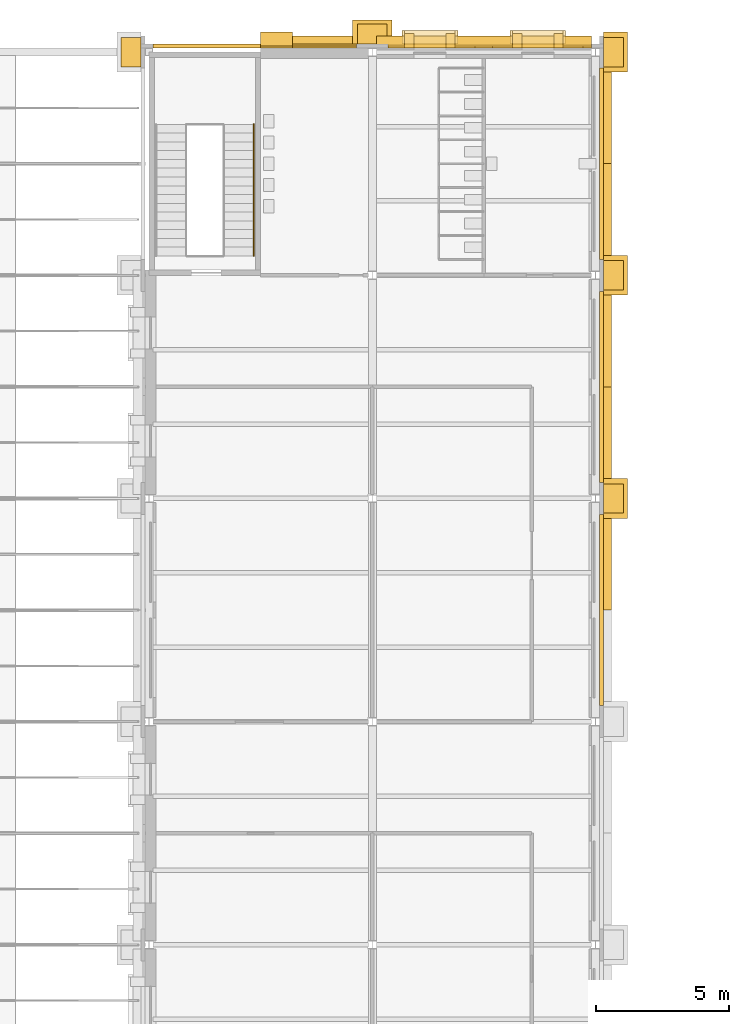
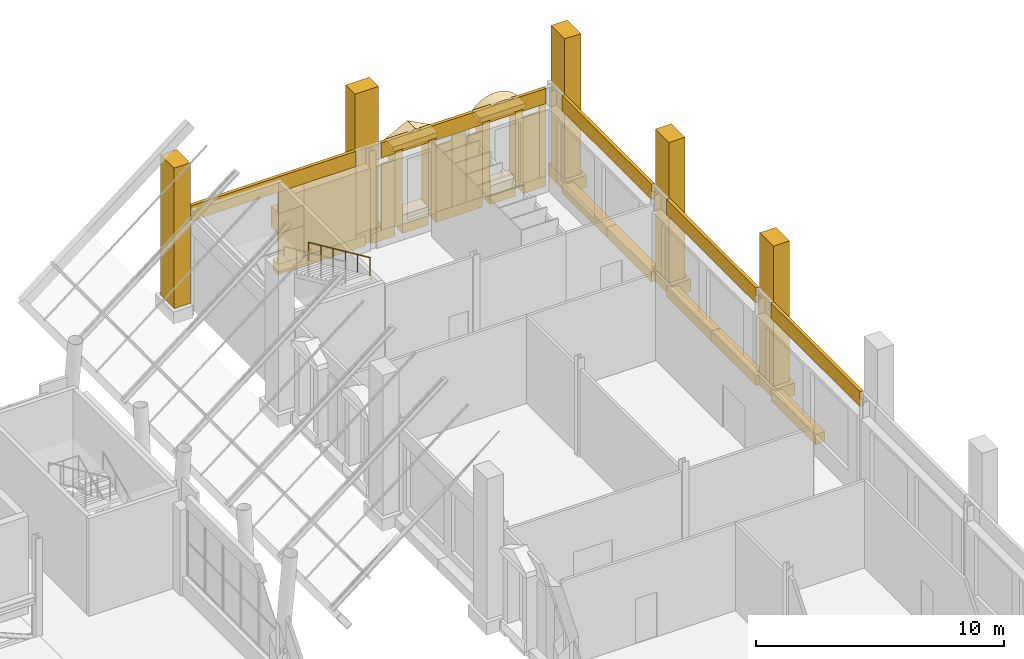
# One storey, part 68 of 76: 45 coverings, 1 railing.
"""IFC4 building model written with IfcOpenShell, lengths in metres."""

from ifc_helpers import new_model, si_unit, direction, frame, origin, origin_2d, place, context, subcontext, project, spatial, polyline, rectangle, circle, outline, extrude, material, layer, layer_set, type_object, element, save


model = new_model("IFC4")

# Units and contexts
model_context = context("Model", 3, precision=1e-05, world=origin(), true_north=direction((0.0, 1.0)))
body_context = subcontext(model_context, "Body", "Model", "MODEL_VIEW")
ifc_project = project(units=[si_unit("LENGTHUNIT", "METRE"), si_unit("AREAUNIT", "SQUARE_METRE"), si_unit("VOLUMEUNIT", "CUBIC_METRE"), si_unit("PLANEANGLEUNIT", "RADIAN"), si_unit("MASSUNIT", "GRAM", prefix="KILO")], contexts=[model_context])

# Site, building, storey
site_placement = place(None, origin())
site = spatial("IfcSite", under=ifc_project, at=site_placement, CompositionType="ELEMENT")
building_placement = place(site_placement, origin())
building = spatial("IfcBuilding", under=site, at=building_placement, Name="Sava Quay Ferry Terminal", CompositionType="ELEMENT")
storey_placement = place(building_placement, frame((0.0, 0.0, 6.0)))
storey = spatial("IfcBuildingStorey", under=building, at=storey_placement, Name="L01", CompositionType="ELEMENT", Elevation=6.0)

# Coverings
ifc_material_1 = material(Name="Limestone Mutalj", Category="masonry")
ifc_layer_1 = layer(ifc_material_1, 0.60009765625)
ifc_layer_set_1 = layer_set([ifc_layer_1], Name="Limestone Mutalj")
covering_type_1 = type_object("IfcCoveringType", Name="Corner quoin block 1200", PredefinedType="CLADDING", material=ifc_layer_set_1)
covering_1_placement = place(storey_placement, frame((97.199951171875, 109.659912109375, 2.0), z_axis=(0.0, 0.0, 1.0), x_axis=(1.0, 0.0, 0.0)))
element("IfcCovering", 1, at=covering_1_placement, inside=storey, type_object=covering_type_1, Name="Corner quoin block", PredefinedType="CLADDING", context=body_context, shape_type="SweptSolid", body=[
    extrude(rectangle(XDim=1.199951171875, YDim=0.60009765625, at=origin_2d()), origin(), (0.0, 0.0, 1.0), 1.0),
])
ifc_material_2 = material(Name="Limestone Mutalj", Category="masonry")
ifc_layer_2 = layer(ifc_material_2, 0.89990234375)
ifc_layer_set_2 = layer_set([ifc_layer_2], Name="Limestone Mutalj")
covering_type_2 = type_object("IfcCoveringType", Name="Giant-order pilaster base 1500", PredefinedType="MOLDING", material=ifc_layer_set_2)
for number, where, z_axis, x_axis, name in (
    (2, (109.949951171875, 92.39990234375, 0.0), (0.0, 0.0, 1.0), (1.0, 0.0, 0.0), "Giant-order pilaster base"),
    (3, (109.949951171875, 100.800048828125, 0.0), (0.0, 0.0, 1.0), (1.0, 0.0, 0.0), "Giant-order pilaster base"),
    (4, (109.949951171875, 109.199951171875, 0.0), (0.0, 0.0, 1.0), (1.0, 0.0, 0.0), "Giant-order pilaster base"),
):
    element("IfcCovering", number, at=place(storey_placement, frame(where, z_axis=z_axis, x_axis=x_axis)), inside=storey, type_object=covering_type_2, Name=name, PredefinedType="MOLDING", context=body_context, shape_type="SweptSolid", body=[
        extrude(rectangle(XDim=0.89990234375, YDim=1.5, at=origin_2d()), origin(), (0.0, 0.0, 1.0), 0.60009765625),
    ])
covering_2_placement = place(storey_placement, frame((100.800048828125, 109.9599609375, 0.0), z_axis=(0.0, 0.0, 1.0), x_axis=(1.0, 0.0, 0.0)))
element("IfcCovering", 5, at=covering_2_placement, inside=storey, type_object=covering_type_2, Name="Giant-order pilaster base", PredefinedType="MOLDING", context=body_context, shape_type="SweptSolid", body=[
    extrude(rectangle(XDim=1.5, YDim=0.89990234375, at=origin_2d()), origin(), (0.0, 0.0, 1.0), 0.60009765625),
])
ifc_material_3 = material(Name="Limestone Mutalj", Category="masonry")
ifc_layer_3 = layer(ifc_material_3, 0.75)
ifc_layer_set_3 = layer_set([ifc_layer_3], Name="Limestone Mutalj")
covering_type_3 = type_object("IfcCoveringType", Name="Giant-order pilaster shaft 1100", PredefinedType="CLADDING", material=ifc_layer_set_3)
for number, where, z_axis, x_axis, name in (
    (6, (109.875, 92.39990234375, 0.60009765625), (0.0, 0.0, 1.0), (1.0, 0.0, 0.0), "Giant-order pilaster"),
    (7, (109.875, 100.800048828125, 0.60009765625), (0.0, 0.0, 1.0), (1.0, 0.0, 0.0), "Giant-order pilaster"),
    (8, (109.875, 109.199951171875, 0.60009765625), (0.0, 0.0, 1.0), (1.0, 0.0, 0.0), "Giant-order pilaster"),
):
    element("IfcCovering", number, at=place(storey_placement, frame(where, z_axis=z_axis, x_axis=x_axis)), inside=storey, type_object=covering_type_3, Name=name, PredefinedType="CLADDING", context=body_context, shape_type="SweptSolid", body=[
        extrude(rectangle(XDim=0.75, YDim=1.10009765625, at=origin_2d()), origin(), (0.0, 0.0, 1.0), 6.89990234375),
    ])
covering_3_placement = place(storey_placement, frame((100.800048828125, 109.885009765625, 0.60009765625), z_axis=(0.0, 0.0, 1.0), x_axis=(1.0, 0.0, 0.0)))
element("IfcCovering", 9, at=covering_3_placement, inside=storey, type_object=covering_type_3, Name="Giant-order pilaster", PredefinedType="CLADDING", context=body_context, shape_type="SweptSolid", body=[
    extrude(rectangle(XDim=1.10009765625, YDim=0.75, at=origin_2d()), origin(), (0.0, 0.0, 1.0), 6.89990234375),
])
covering_4_placement = place(storey_placement, frame((91.72509765625, 109.199951171875, 0.60009765625), z_axis=(0.0, 0.0, 1.0), x_axis=(1.0, 0.0, 0.0)))
element("IfcCovering", 10, at=covering_4_placement, inside=storey, type_object=covering_type_3, Name="Giant-order pilaster", PredefinedType="CLADDING", context=body_context, shape_type="SweptSolid", body=[
    extrude(rectangle(XDim=0.75, YDim=1.10009765625, at=origin_2d()), origin(), (0.0, 0.0, 1.0), 6.89990234375),
])
ifc_material_4 = material(Name="Limestone Mutalj", Category="masonry")
ifc_layer_4 = layer(ifc_material_4, 0.080078125)
ifc_layer_set_4 = layer_set([ifc_layer_4], Name="Limestone Mutalj")
covering_type_4 = type_object("IfcCoveringType", Name="Light stone cladding 80", PredefinedType="CLADDING", material=ifc_layer_set_4)
covering_5_placement = place(storey_placement, frame((97.199951171875, 109.39990234375, 0.5), z_axis=(0.0, 0.0, 1.0), x_axis=(1.0, 0.0, 0.0)))
element("IfcCovering", 11, at=covering_5_placement, inside=storey, type_object=covering_type_4, Name="Light stone cladding", PredefinedType="CLADDING", context=body_context, shape_type="SweptSolid", body=[
    extrude(rectangle(XDim=1.199951171875, YDim=0.080078125, at=origin_2d()), origin(), (0.0, 0.0, 1.0), 1.5),
])
covering_6_placement = place(storey_placement, frame((97.199951171875, 109.39990234375, 3.0), z_axis=(0.0, 0.0, 1.0), x_axis=(1.0, 0.0, 0.0)))
element("IfcCovering", 12, at=covering_6_placement, inside=storey, type_object=covering_type_4, Name="Light stone cladding", PredefinedType="CLADDING", context=body_context, shape_type="SweptSolid", body=[
    extrude(rectangle(XDim=1.199951171875, YDim=0.080078125, at=origin_2d()), origin(), (0.0, 0.0, 1.0), 1.050048828125),
])
covering_7_placement = place(storey_placement, frame((99.0, 109.39990234375, 0.5), z_axis=(0.0, 0.0, 1.0), x_axis=(1.0, 0.0, 0.0)))
element("IfcCovering", 13, at=covering_7_placement, inside=storey, type_object=covering_type_4, Name="Light stone cladding", PredefinedType="CLADDING", context=body_context, shape_type="SweptSolid", body=[
    extrude(rectangle(XDim=2.39990234375, YDim=0.080078125, at=origin_2d()), origin(), (0.0, 0.0, 1.0), 3.550048828125),
])
covering_8_placement = place(storey_placement, frame((101.70947265625, 109.39990234375, 0.5), z_axis=(0.0, 0.0, 1.0), x_axis=(1.0, 0.0, 0.0)))
element("IfcCovering", 14, at=covering_8_placement, inside=storey, type_object=covering_type_4, Name="Light stone cladding", PredefinedType="CLADDING", context=body_context, shape_type="SweptSolid", body=[
    extrude(rectangle(XDim=0.61865234375, YDim=0.080078125, at=origin_2d()), origin(), (0.0, 0.0, 1.0), 3.25),
])
covering_9_placement = place(storey_placement, frame((104.293701171875, 109.39990234375, 0.5), z_axis=(0.0, 0.0, 1.0), x_axis=(1.0, 0.0, 0.0)))
element("IfcCovering", 15, at=covering_9_placement, inside=storey, type_object=covering_type_4, Name="Light stone cladding", PredefinedType="CLADDING", context=body_context, shape_type="SweptSolid", body=[
    extrude(rectangle(XDim=0.75, YDim=0.080078125, at=origin_2d()), origin(), (0.0, 0.0, 1.0), 3.25),
])
covering_10_placement = place(storey_placement, frame((105.0, 109.39990234375, 0.5), z_axis=(0.0, 0.0, 1.0), x_axis=(1.0, 0.0, 0.0)))
element("IfcCovering", 16, at=covering_10_placement, inside=storey, type_object=covering_type_4, Name="Light stone cladding", PredefinedType="CLADDING", context=body_context, shape_type="SweptSolid", body=[
    extrude(rectangle(XDim=0.66259765625, YDim=0.080078125, at=origin_2d()), origin(), (0.0, 0.0, 1.0), 3.550048828125),
])
for number, where, z_axis, x_axis, name in (
    (17, (105.706298828125, 109.39990234375, 0.5), (0.0, 0.0, 1.0), (1.0, 0.0, 0.0), "Light stone cladding"),
    (18, (108.356201171875, 109.39990234375, 0.5), (0.0, 0.0, 1.0), (1.0, 0.0, 0.0), "Light stone cladding"),
):
    element("IfcCovering", number, at=place(storey_placement, frame(where, z_axis=z_axis, x_axis=x_axis)), inside=storey, type_object=covering_type_4, Name=name, PredefinedType="CLADDING", context=body_context, shape_type="SweptSolid", body=[
        extrude(rectangle(XDim=0.75, YDim=0.080078125, at=origin_2d()), origin(), (0.0, 0.0, 1.0), 3.25),
    ])
covering_11_placement = place(storey_placement, frame((108.890625, 109.39990234375, 0.5), z_axis=(0.0, 0.0, 1.0), x_axis=(1.0, 0.0, 0.0)))
element("IfcCovering", 19, at=covering_11_placement, inside=storey, type_object=covering_type_4, Name="Light stone cladding", PredefinedType="CLADDING", context=body_context, shape_type="SweptSolid", body=[
    extrude(rectangle(XDim=0.318603515625, YDim=0.080078125, at=origin_2d()), origin(), (0.0, 0.0, 1.0), 3.550048828125),
])
ifc_material_5 = material(Name="Limestone Mutalj", Category="masonry")
ifc_layer_5 = layer(ifc_material_5, 0.14990234375)
ifc_layer_set_5 = layer_set([ifc_layer_5], Name="Limestone Mutalj")
covering_type_5 = type_object("IfcCoveringType", Name="Limestone string course 150", PredefinedType="CLADDING", material=ifc_layer_set_5)
covering_12_placement = place(storey_placement, frame((0.0, 0.0, 4.050048828125)))
element("IfcCovering", 20, at=covering_12_placement, inside=storey, type_object=covering_type_5, Name="String course O-N", PredefinedType="CLADDING", context=body_context, shape_type="SweptSolid", body=[
    extrude(outline(polyline([(92.550048828125, 109.360107421875), (100.199951171875, 109.360107421875), (100.199951171875, 109.510009765625), (92.550048828125, 109.510009765625), (92.550048828125, 109.360107421875)])), origin(), (0.0, 0.0, 1.0), 0.75),
])
covering_13_placement = place(storey_placement, frame((0.0, 0.0, 4.050048828125)))
element("IfcCovering", 21, at=covering_13_placement, inside=storey, type_object=covering_type_5, Name="String course O-N", PredefinedType="CLADDING", context=body_context, shape_type="SweptSolid", body=[
    extrude(outline(polyline([(101.39990234375, 109.360107421875), (109.050048828125, 109.360107421875), (109.050048828125, 109.510009765625), (101.39990234375, 109.510009765625), (101.39990234375, 109.360107421875)])), origin(), (0.0, 0.0, 1.0), 0.75),
])
covering_14_placement = place(storey_placement, frame((0.0, 0.0, 4.050048828125)))
element("IfcCovering", 22, at=covering_14_placement, inside=storey, type_object=covering_type_5, Name="String course O-E", PredefinedType="CLADDING", context=body_context, shape_type="SweptSolid", body=[
    extrude(outline(polyline([(109.35009765625, 84.60009765625), (109.35009765625, 91.800048828125), (109.5, 91.800048828125), (109.5, 84.60009765625), (109.35009765625, 84.60009765625)])), origin(), (0.0, 0.0, 1.0), 0.75),
])
covering_15_placement = place(storey_placement, frame((0.0, 0.0, 4.050048828125)))
element("IfcCovering", 23, at=covering_15_placement, inside=storey, type_object=covering_type_5, Name="String course O-E", PredefinedType="CLADDING", context=body_context, shape_type="SweptSolid", body=[
    extrude(outline(polyline([(109.35009765625, 93.0), (109.35009765625, 100.199951171875), (109.5, 100.199951171875), (109.5, 93.0), (109.35009765625, 93.0)])), origin(), (0.0, 0.0, 1.0), 0.75),
])
covering_16_placement = place(storey_placement, frame((0.0, 0.0, 4.050048828125)))
element("IfcCovering", 24, at=covering_16_placement, inside=storey, type_object=covering_type_5, Name="String course O-E", PredefinedType="CLADDING", context=body_context, shape_type="SweptSolid", body=[
    extrude(outline(polyline([(109.35009765625, 101.39990234375), (109.35009765625, 108.60009765625), (109.5, 108.60009765625), (109.5, 101.39990234375), (109.35009765625, 101.39990234375)])), origin(), (0.0, 0.0, 1.0), 0.75),
])
ifc_material_6 = material(Name="Limestone Mutalj", Category="masonry")
ifc_layer_6 = layer(ifc_material_6, 0.449951171875)
ifc_layer_set_6 = layer_set([ifc_layer_6], Name="Limestone Mutalj")
covering_type_6 = type_object("IfcCoveringType", Name="Projecting string course 500", PredefinedType="MOLDING", material=ifc_layer_set_6)
for number, where, z_axis, x_axis, name in (
    (25, (109.574951171875, 90.0, 0.0), (0.0, 0.0, 1.0), (1.0, 0.0, 0.0), "Projecting string course"),
    (26, (109.574951171875, 94.800048828125, 0.0), (0.0, 0.0, 1.0), (1.0, 0.0, 0.0), "Projecting string course"),
    (27, (109.574951171875, 98.39990234375, 0.0), (0.0, 0.0, 1.0), (1.0, 0.0, 0.0), "Projecting string course"),
    (28, (109.574951171875, 103.199951171875, 0.0), (0.0, 0.0, 1.0), (1.0, 0.0, 0.0), "Projecting string course"),
    (29, (109.574951171875, 106.800048828125, 0.0), (0.0, 0.0, 1.0), (1.0, 0.0, 0.0), "Projecting string course"),
):
    element("IfcCovering", number, at=place(storey_placement, frame(where, z_axis=z_axis, x_axis=x_axis)), inside=storey, type_object=covering_type_6, Name=name, PredefinedType="MOLDING", context=body_context, shape_type="SweptSolid", body=[
        extrude(rectangle(XDim=0.449951171875, YDim=3.60009765625, at=origin_2d()), origin(), (0.0, 0.0, 1.0), 0.5),
    ])
covering_17_placement = place(storey_placement, frame((98.625, 109.5849609375, 0.0), z_axis=(0.0, 0.0, 1.0), x_axis=(1.0, 0.0, 0.0)))
element("IfcCovering", 30, at=covering_17_placement, inside=storey, type_object=covering_type_6, Name="Projecting string course", PredefinedType="MOLDING", context=body_context, shape_type="SweptSolid", body=[
    extrude(rectangle(XDim=4.050048828125, YDim=0.449951171875, at=origin_2d()), origin(), (0.0, 0.0, 1.0), 0.5),
])
covering_18_placement = place(storey_placement, frame((101.484375, 109.5849609375, 0.0), z_axis=(0.0, 0.0, 1.0), x_axis=(1.0, 0.0, 0.0)))
element("IfcCovering", 31, at=covering_18_placement, inside=storey, type_object=covering_type_6, Name="Projecting string course", PredefinedType="MOLDING", context=body_context, shape_type="SweptSolid", body=[
    extrude(rectangle(XDim=1.068603515625, YDim=0.449951171875, at=origin_2d()), origin(), (0.0, 0.0, 1.0), 0.5),
])
covering_19_placement = place(storey_placement, frame((102.96875, 109.5849609375, 0.0), z_axis=(0.0, 0.0, 1.0), x_axis=(1.0, 0.0, 0.0)))
element("IfcCovering", 32, at=covering_19_placement, inside=storey, type_object=covering_type_6, Name="Projecting string course", PredefinedType="MOLDING", context=body_context, shape_type="SweptSolid", body=[
    extrude(rectangle(XDim=1.199951171875, YDim=0.449951171875, at=origin_2d()), origin(), (0.0, 0.0, 1.0), 0.449951171875),
])
covering_20_placement = place(storey_placement, frame((105.0, 109.5849609375, 0.0), z_axis=(0.0, 0.0, 1.0), x_axis=(1.0, 0.0, 0.0)))
element("IfcCovering", 33, at=covering_20_placement, inside=storey, type_object=covering_type_6, Name="Projecting string course", PredefinedType="MOLDING", context=body_context, shape_type="SweptSolid", body=[
    extrude(rectangle(XDim=2.16259765625, YDim=0.449951171875, at=origin_2d()), origin(), (0.0, 0.0, 1.0), 0.5),
])
covering_21_placement = place(storey_placement, frame((107.03125, 109.5849609375, 0.0), z_axis=(0.0, 0.0, 1.0), x_axis=(1.0, 0.0, 0.0)))
element("IfcCovering", 34, at=covering_21_placement, inside=storey, type_object=covering_type_6, Name="Projecting string course", PredefinedType="MOLDING", context=body_context, shape_type="SweptSolid", body=[
    extrude(rectangle(XDim=1.199951171875, YDim=0.449951171875, at=origin_2d()), origin(), (0.0, 0.0, 1.0), 0.449951171875),
])
covering_22_placement = place(storey_placement, frame((108.515625, 109.5849609375, 0.0), z_axis=(0.0, 0.0, 1.0), x_axis=(1.0, 0.0, 0.0)))
element("IfcCovering", 35, at=covering_22_placement, inside=storey, type_object=covering_type_6, Name="Projecting string course", PredefinedType="MOLDING", context=body_context, shape_type="SweptSolid", body=[
    extrude(rectangle(XDim=1.068603515625, YDim=0.449951171875, at=origin_2d()), origin(), (0.0, 0.0, 1.0), 0.5),
])
ifc_material_7 = material(Name="Limestone Mutalj", Category="masonry")
ifc_layer_7 = layer(ifc_material_7, 0.64990234375)
ifc_layer_set_7 = layer_set([ifc_layer_7], Name="Limestone Mutalj")
covering_type_7 = type_object("IfcCoveringType", Name="Segmental window head 500", PredefinedType="MOLDING", material=ifc_layer_set_7)
covering_23_placement = place(storey_placement, frame((105.981201171875, 110.010009765625, 4.39990234375), z_axis=(0.0, 1.0, 0.0), x_axis=(0.711638056307, 0.0, 0.702546280907)))
element("IfcCovering", 36, at=covering_23_placement, inside=storey, type_object=covering_type_7, Name="Segmental window head", PredefinedType="MOLDING", context=body_context, shape_type="SweptSolid", body=[
    extrude(outline(polyline([(0.0, 0.0), (0.2953820081178897, 0.0), (0.541020971011569, 0.05003927050579696), (0.7526989564590708, 0.13447901346001595), (0.9376198081610994, 0.24602215894935536), (1.0985278475274471, 0.3818888708163669), (1.236452195086786, 0.5410367105020075), (1.3505374700702841, 0.7246796366534322), (1.4376918715484688, 0.9352544452518655), (1.490885295580476, 1.1802297262987207), (1.4945094141481134, 1.4754157979394849), (0.0, 0.0)])), origin(), (0.0, 0.0, -1.0), 0.64990234375),
])

# Railing
ifc_material_8 = material(Name="Steel S355", Category="steel")
railing_type = type_object("IfcRailingType", Name="Stair handrail 900", PredefinedType="HANDRAIL", material=ifc_material_8)
railing_placement = place(storey_placement, frame((96.340087890625, 106.47998046875, 2.550048828125)))
element("IfcRailing", 37, at=railing_placement, inside=storey, type_object=railing_type, Name="Handrail ST-O3 L01", PredefinedType="HANDRAIL", context=body_context, shape_type="SweptSolid", body=[
    extrude(circle(Radius=0.02392578125, at=origin_2d()), frame((0.0, 0.0, 0.8759765625), z_axis=(0.0, -0.910364939756, 0.41380632724), x_axis=(1.0, 0.0, 0.0)), (0.0, 0.0, 1.0), 5.437255859375),
    extrude(circle(Radius=0.02099609375, at=origin_2d()), origin(), (0.0, 0.0, 1.0), 0.851806640625),
    extrude(circle(Radius=0.02099609375, at=origin_2d()), frame((0.0, -0.989990234375, 0.449951171875)), (0.0, 0.0, 1.0), 0.851806640625),
    extrude(circle(Radius=0.02099609375, at=origin_2d()), frame((0.0, -1.97998046875, 0.89990234375)), (0.0, 0.0, 1.0), 0.851806640625),
    extrude(circle(Radius=0.02099609375, at=origin_2d()), frame((0.0, -2.969970703125, 1.35009765625)), (0.0, 0.0, 1.0), 0.851806640625),
    extrude(circle(Radius=0.02099609375, at=origin_2d()), frame((0.0, -3.9599609375, 1.800048828125)), (0.0, 0.0, 1.0), 0.851806640625),
    extrude(circle(Radius=0.02099609375, at=origin_2d()), frame((0.0, -4.949951171875, 2.25)), (0.0, 0.0, 1.0), 0.851806640625),
])

# Coverings
ifc_material_9 = material(Name="Limestone Mutalj", Category="masonry")
ifc_layer_8 = layer(ifc_material_9, 0.64990234375)
ifc_layer_set_8 = layer_set([ifc_layer_8], Name="Limestone Mutalj")
covering_type_8 = type_object("IfcCoveringType", Name="Triangular window head 500", PredefinedType="MOLDING", material=ifc_layer_set_8)
covering_24_placement = place(storey_placement, frame((101.918701171875, 109.360107421875, 4.39990234375), z_axis=(0.0, -1.0, 0.0), x_axis=(1.0, 0.0, 0.0)))
element("IfcCovering", 38, at=covering_24_placement, inside=storey, type_object=covering_type_8, Name="Triangular window head", PredefinedType="MOLDING", context=body_context, shape_type="SweptSolid", body=[
    extrude(outline(polyline([(0.0, 0.0), (2.10009765625, 0.0), (1.050048828125, 0.550048828125), (0.0, 0.0)])), origin(), (0.0, 0.0, -1.0), 0.64990234375),
])
ifc_material_10 = material(Name="Limestone Mutalj", Category="masonry")
ifc_layer_9 = layer(ifc_material_10, 0.550048828125)
ifc_layer_set_9 = layer_set([ifc_layer_9], Name="Limestone Mutalj")
covering_type_9 = type_object("IfcCoveringType", Name="Window surround jamb 350", PredefinedType="MOLDING", material=ifc_layer_set_9)
for number, where, z_axis, x_axis, name in (
    (39, (102.193603515625, 109.635009765625, 0.4501953125), (0.0, 0.0, 1.0), (1.0, 0.0, 0.0), "Window surround jamb"),
    (40, (103.74365234375, 109.635009765625, 0.4501953125), (0.0, 0.0, 1.0), (1.0, 0.0, 0.0), "Window surround jamb"),
    (41, (106.25634765625, 109.635009765625, 0.4501953125), (0.0, 0.0, 1.0), (1.0, 0.0, 0.0), "Window surround jamb"),
    (42, (107.806396484375, 109.635009765625, 0.4501953125), (0.0, 0.0, 1.0), (1.0, 0.0, 0.0), "Window surround jamb"),
):
    element("IfcCovering", number, at=place(storey_placement, frame(where, z_axis=z_axis, x_axis=x_axis)), inside=storey, type_object=covering_type_9, Name=name, PredefinedType="MOLDING", context=body_context, shape_type="SweptSolid", body=[
        extrude(rectangle(XDim=0.35009765625, YDim=0.550048828125, at=origin_2d()), origin(), (0.0, 0.0, 1.0), 3.699951171875),
    ])
ifc_material_11 = material(Name="Limestone Mutalj", Category="masonry")
ifc_layer_10 = layer(ifc_material_11, 0.64990234375)
ifc_layer_set_10 = layer_set([ifc_layer_10], Name="Limestone Mutalj")
covering_type_10 = type_object("IfcCoveringType", Name="Window surround lintel 300", PredefinedType="MOLDING", material=ifc_layer_set_10)
for number, where, z_axis, x_axis, name in (
    (43, (102.96875, 109.68505859375, 4.14990234375), (0.0, 0.0, 1.0), (1.0, 0.0, 0.0), "Window surround lintel"),
    (44, (107.03125, 109.68505859375, 4.14990234375), (0.0, 0.0, 1.0), (1.0, 0.0, 0.0), "Window surround lintel"),
):
    element("IfcCovering", number, at=place(storey_placement, frame(where, z_axis=z_axis, x_axis=x_axis)), inside=storey, type_object=covering_type_10, Name=name, PredefinedType="MOLDING", context=body_context, shape_type="SweptSolid", body=[
        extrude(rectangle(XDim=2.10009765625, YDim=0.64990234375, at=origin_2d()), origin(), (0.0, 0.0, 1.0), 0.25),
    ])
ifc_material_12 = material(Name="Limestone Mutalj", Category="masonry")
ifc_layer_11 = layer(ifc_material_12, 0.64990234375)
ifc_layer_set_11 = layer_set([ifc_layer_11], Name="Limestone Mutalj")
covering_type_11 = type_object("IfcCoveringType", Name="Window surround sill 450", PredefinedType="MOLDING", material=ifc_layer_set_11)
for number, where, z_axis, x_axis, name in (
    (45, (102.96875, 109.68505859375, 0.4501953125), (0.0, 0.0, 1.0), (1.0, 0.0, 0.0), "Window surround sill"),
    (46, (107.03125, 109.68505859375, 0.4501953125), (0.0, 0.0, 1.0), (1.0, 0.0, 0.0), "Window surround sill"),
):
    element("IfcCovering", number, at=place(storey_placement, frame(where, z_axis=z_axis, x_axis=x_axis)), inside=storey, type_object=covering_type_11, Name=name, PredefinedType="MOLDING", context=body_context, shape_type="SweptSolid", body=[
        extrude(rectangle(XDim=1.89990234375, YDim=0.64990234375, at=origin_2d()), origin(), (0.0, 0.0, 1.0), 0.449951171875),
    ])

save(model, "model.ifc")
